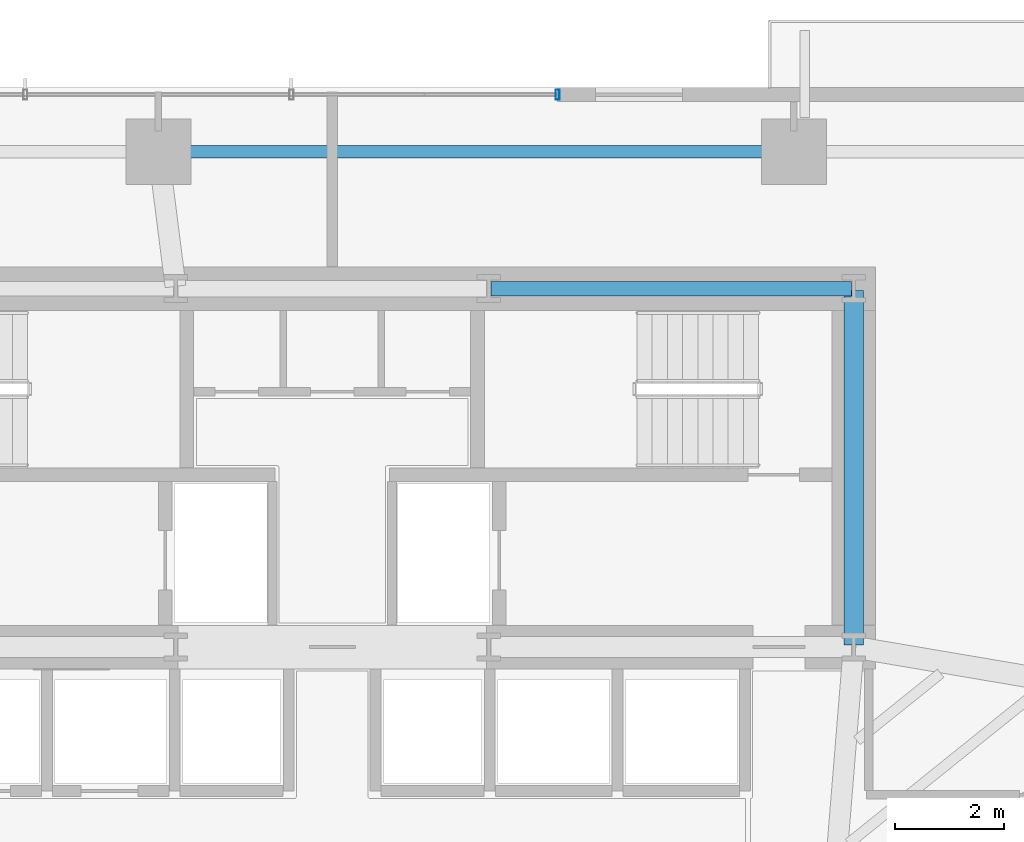
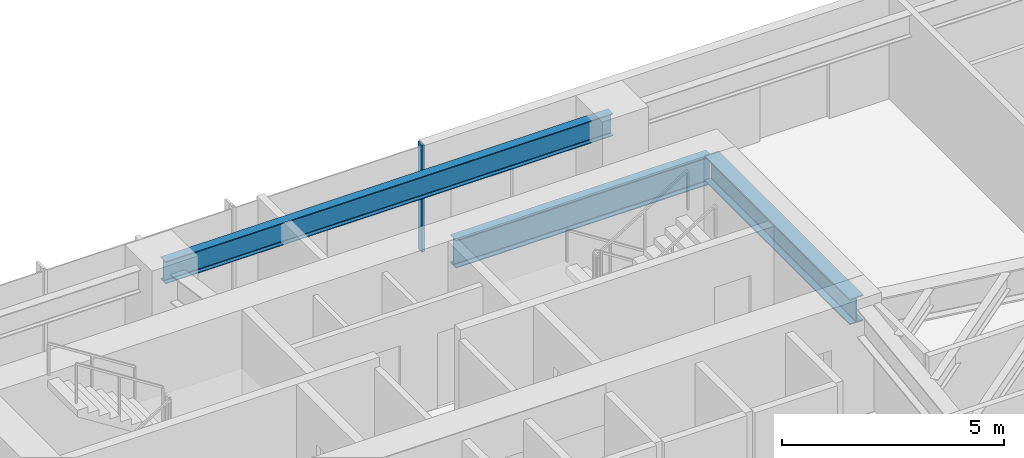
# One storey, part 15 of 25: 3 beams, 1 member, 1 element without a shape of its own.
"""IFC4 building model written with IfcOpenShell, lengths in metres."""

from ifc_helpers import new_model, si_unit, direction, frame, origin, origin_2d, place, context, subcontext, project, spatial, hollow_rectangle, i_section, extrude, source, transform, mapped, material, material_profile, profile_set, type_object, type_shapes, element, aggregate, save


model = new_model("IFC4")

# Units and contexts
model_context = context("Model", 3, precision=1e-05, world=origin(), true_north=direction((0.0, 1.0)))
body_context = subcontext(model_context, "Body", "Model", "MODEL_VIEW")
ifc_project = project(units=[si_unit("LENGTHUNIT", "METRE"), si_unit("AREAUNIT", "SQUARE_METRE"), si_unit("VOLUMEUNIT", "CUBIC_METRE"), si_unit("PLANEANGLEUNIT", "RADIAN"), si_unit("MASSUNIT", "GRAM", prefix="KILO")], contexts=[model_context])

# Site, building, storey
site_placement = place(None, origin())
site = spatial("IfcSite", under=ifc_project, at=site_placement, CompositionType="ELEMENT")
building_placement = place(site_placement, origin())
building = spatial("IfcBuilding", under=site, at=building_placement, Name="Astriad Promenade Condominiums", CompositionType="ELEMENT")
storey_placement = place(building_placement, frame((0.0, 0.0, 29.39990234375)))
storey = spatial("IfcBuildingStorey", under=building, at=storey_placement, Name="L07", CompositionType="ELEMENT", Elevation=29.39990234375)

# Beams
ifc_material_1 = material(Name="Steel ASTM A992 Grade 50", Category="steel")
ifc_material_profile_1 = material_profile(ifc_material_1, i_section(OverallWidth=0.267822265625, OverallDepth=0.76953125, WebThickness=0.015625, FlangeThickness=0.025390625, FilletRadius=0.021484375, at=origin_2d()), Name="W30X132")
ifc_profile_set_1 = profile_set([ifc_material_profile_1], Name="Steel ASTM A992 Grade 50")
beam_type_1 = type_object("IfcBeamType", Name="STEEL FLOOR GIRDER W30X132", PredefinedType="BEAM", material=ifc_profile_set_1)
shared_shape_1 = source(origin(), body_context, "Body", "SweptSolid", [
    extrude(i_section(OverallWidth=0.267822265625, OverallDepth=0.76953125, WebThickness=0.015625, FlangeThickness=0.025390625, FilletRadius=0.021484375, at=origin_2d()), origin(), (0.0, 0.0, 1.0), 6.64013671875),
])
type_shapes(beam_type_1, [shared_shape_1])
beam_1_placement = place(storey_placement, frame((38.919921875, 24.0, 2.55517578125), z_axis=(1.0, 0.0, 0.0), x_axis=(0.0, 1.0, 0.0)))
element("IfcBeam", 1, at=beam_1_placement, inside=storey, type_object=beam_type_1, Name="Core Ring Beam CG-N3-L07", PredefinedType="BEAM", context=body_context, shape_type="MappedRepresentation", body=[
    mapped(shared_shape_1, transform((0.0, 0.0, 0.0), scale=1.0)),
])
ifc_material_profile_2 = material_profile(ifc_material_1, i_section(OverallWidth=0.35791015625, OverallDepth=0.706298828125, WebThickness=0.018310546875, FlangeThickness=0.0302734375, FilletRadius=0.020263671875, at=origin_2d()), Name="W27X178")
ifc_profile_set_2 = profile_set([ifc_material_profile_2], Name="Steel ASTM A992 Grade 50")
beam_type_2 = type_object("IfcBeamType", Name="STEEL FLOOR GIRDER W27X178", PredefinedType="BEAM", material=ifc_profile_set_2)
shared_shape_2 = source(origin(), body_context, "Body", "SweptSolid", [
    extrude(i_section(OverallWidth=0.35791015625, OverallDepth=0.706298828125, WebThickness=0.018310546875, FlangeThickness=0.0302734375, FilletRadius=0.020263671875, at=origin_2d()), origin(), (0.0, 0.0, 1.0), 6.52001953125),
])
type_shapes(beam_type_2, [shared_shape_2])
beam_2_placement = place(storey_placement, frame((45.60009765625, 17.43994140625, 2.5869140625), z_axis=(0.0, 1.0, 0.0), x_axis=(-1.0, 0.0, 0.0)))
element("IfcBeam", 2, at=beam_2_placement, inside=storey, type_object=beam_type_2, Name="Core Ring Beam CG-E1-L07", PredefinedType="BEAM", context=body_context, shape_type="MappedRepresentation", body=[
    mapped(shared_shape_2, transform((0.0, 0.0, 0.0), scale=1.0)),
])
ifc_material_profile_3 = material_profile(ifc_material_1, i_section(OverallWidth=0.22900390625, OverallDepth=0.612060546875, WebThickness=0.011962890625, FlangeThickness=0.01953125, FilletRadius=0.017822265625, at=origin_2d()), Name="W24X84")
ifc_profile_set_3 = profile_set([ifc_material_profile_3], Name="Steel ASTM A992 Grade 50")
beam_type_3 = type_object("IfcBeamType", Name="STEEL SPANDREL BEAM W24X84", PredefinedType="SPANDREL", material=ifc_profile_set_3)
shared_shape_3 = source(origin(), body_context, "Body", "SweptSolid", [
    extrude(i_section(OverallWidth=0.22900390625, OverallDepth=0.612060546875, WebThickness=0.011962890625, FlangeThickness=0.01953125, FilletRadius=0.017822265625, at=origin_2d()), origin(), (0.0, 0.0, 1.0), 11.619873046875),
])
type_shapes(beam_type_3, [shared_shape_3])
beam_3_placement = place(storey_placement, frame((44.4599609375, 26.52001953125, 2.634033203125), z_axis=(-1.0, 0.0, 0.0), x_axis=(0.0, -1.0, 0.0)))
element("IfcBeam", 3, at=beam_3_placement, inside=storey, type_object=beam_type_3, Name="Perimeter Spandrel Beam SP-N3-L07", PredefinedType="SPANDREL", context=body_context, shape_type="MappedRepresentation", body=[
    mapped(shared_shape_3, transform((0.0, 0.0, 0.0), scale=1.0)),
])

# Curtain wall, member
ifc_material_2 = material(Name="Anodised aluminium Black Dark Glass Unitised", Category="aluminium")
curtain_wall_type = type_object("IfcCurtainWallType", Name="CW-B1-DARK", PredefinedType="USERDEFINED", material=ifc_material_2)
curtain_wall_placement = place(storey_placement, origin())
curtain_wall = element("IfcCurtainWall", 4, at=curtain_wall_placement, inside=storey, type_object=curtain_wall_type, Name="CW-L07-N", ObjectType="UNITISED_CURTAIN_WALL", PredefinedType="USERDEFINED")
ifc_material_3 = material(Name="Anodised aluminium 6063-T6 Black", Category="aluminium")
ifc_material_profile_4 = material_profile(ifc_material_3, hollow_rectangle(XDim=0.074951171875, YDim=0.18505859375, WallThickness=0.00439453125, at=origin_2d()), Name="ALU-MUL-75X185")
ifc_profile_set_4 = profile_set([ifc_material_profile_4], Name="Anodised aluminium 6063-T6 Black")
member_type = type_object("IfcMemberType", Name="MUL-ALU-MUL-75X185", PredefinedType="MULLION", material=ifc_profile_set_4)
shared_shape_4 = source(origin(), body_context, "Body", "SweptSolid", [
    extrude(hollow_rectangle(XDim=0.074951171875, YDim=0.18505859375, WallThickness=0.00439453125, at=origin_2d()), origin(), (0.0, 0.0, 1.0), 2.940185546875),
])
type_shapes(member_type, [shared_shape_4])
member_placement = place(storey_placement, frame((40.14990234375, 27.570068359375, 0.0), z_axis=(0.0, 0.0, 1.0), x_axis=(1.0, 0.0, 0.0)))
member = element("IfcMember", 5, at=member_placement, type_object=member_type, Name="CW-L07-N-MUL-03", PredefinedType="MULLION", context=body_context, shape_type="MappedRepresentation", body=[
    mapped(shared_shape_4, transform((0.0, 0.0, 0.0), scale=1.0)),
])
aggregate(curtain_wall, [member])

save(model, "model.ifc")
